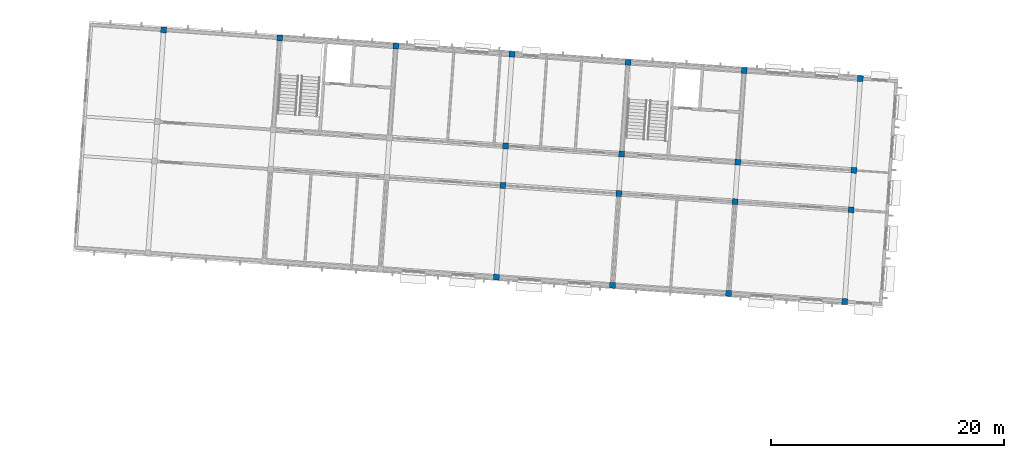
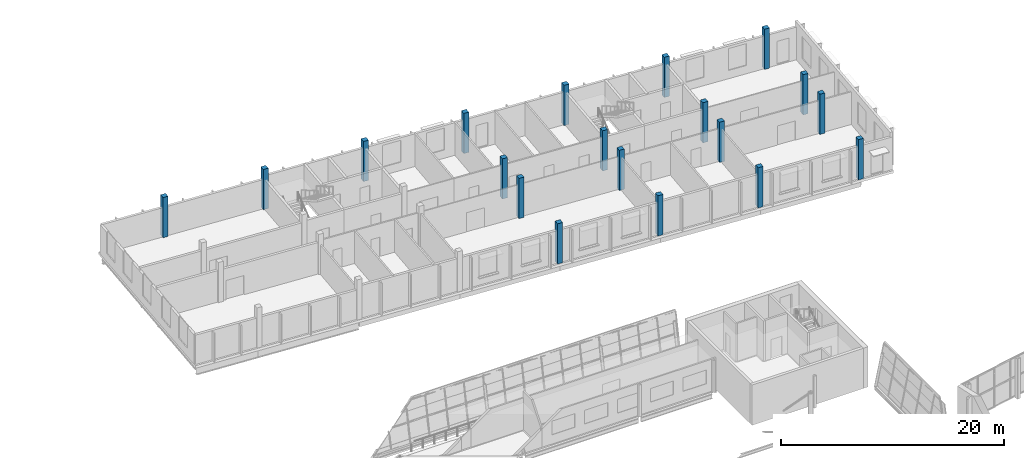
# One storey, part 16 of 95: 19 columns.
"""IFC4 building model written with IfcOpenShell, lengths in metres."""

from ifc_helpers import new_model, si_unit, direction, frame, origin, origin_2d, place, context, subcontext, project, spatial, rectangle, extrude, material, material_profile, profile_set, type_object, element, save


model = new_model("IFC4")

# Units and contexts
model_context = context("Model", 3, precision=1e-05, world=origin(), true_north=direction((0.0, 1.0)))
body_context = subcontext(model_context, "Body", "Model", "MODEL_VIEW")
ifc_project = project(units=[si_unit("LENGTHUNIT", "METRE"), si_unit("AREAUNIT", "SQUARE_METRE"), si_unit("VOLUMEUNIT", "CUBIC_METRE"), si_unit("PLANEANGLEUNIT", "RADIAN"), si_unit("MASSUNIT", "GRAM", prefix="KILO")], contexts=[model_context])

# Site, building, storey
site_placement = place(None, origin())
site = spatial("IfcSite", under=ifc_project, at=site_placement, CompositionType="ELEMENT")
building_placement = place(site_placement, origin())
building = spatial("IfcBuilding", under=site, at=building_placement, Name="Windward Yard Aquatics Centre", CompositionType="ELEMENT")
storey_placement = place(building_placement, frame((0.0, 0.0, 9.39990234375)))
storey = spatial("IfcBuildingStorey", under=building, at=storey_placement, Name="L02", CompositionType="ELEMENT", Elevation=9.39990234375)

# Columns
ifc_material = material(Name="Concrete C50/60", Category="concrete")
ifc_material_profile = material_profile(ifc_material, rectangle(XDim=0.5, YDim=0.5, at=origin_2d()), Name="RC 500x500")
ifc_profile_set = profile_set([ifc_material_profile], Name="Concrete C50/60")
column_type = type_object("IfcColumnType", Name="W RC 500x500 column Concrete C50/60", PredefinedType="COLUMN", material=ifc_profile_set)
for number, where, z_axis, x_axis, name in (
    (1, (109.202392578125, 136.018310546875, 0.0), (0.0, 0.0, 1.0), (0.99756405026, -0.069756473744, 0.0), "W.COL.L02.1D"),
    (2, (119.17822265625, 135.32080078125, 0.0), (0.0, 0.0, 1.0), (0.99756405026, -0.069756473744, 0.0), "W.COL.L02.2D"),
    (3, (129.15380859375, 134.623291015625, 0.0), (0.0, 0.0, 1.0), (0.99756405026, -0.069756473744, 0.0), "W.COL.L02.3D"),
    (4, (137.7900390625, 114.7724609375, 0.0), (0.0, 0.0, 1.0), (0.99756405026, -0.069756473744, 0.0), "W.COL.L02.4A"),
    (5, (138.34130859375, 122.6533203125, 0.0), (0.0, 0.0, 1.0), (0.99756405026, -0.069756473744, 0.0), "W.COL.L02.4B"),
    (6, (138.578369140625, 126.044921875, 0.0), (0.0, 0.0, 1.0), (0.99756405026, -0.069756473744, 0.0), "W.COL.L02.4C"),
    (7, (139.12939453125, 133.925537109375, 0.0), (0.0, 0.0, 1.0), (0.99756405026, -0.069756473744, 0.0), "W.COL.L02.4D"),
    (8, (147.765869140625, 114.07470703125, 0.0), (0.0, 0.0, 1.0), (0.99756405026, -0.069756473744, 0.0), "W.COL.L02.5A"),
    (9, (148.31689453125, 121.95556640625, 0.0), (0.0, 0.0, 1.0), (0.99756405026, -0.069756473744, 0.0), "W.COL.L02.5B"),
    (10, (148.553955078125, 125.347412109375, 0.0), (0.0, 0.0, 1.0), (0.99756405026, -0.069756473744, 0.0), "W.COL.L02.5C"),
    (11, (149.10498046875, 133.22802734375, 0.0), (0.0, 0.0, 1.0), (0.99756405026, -0.069756473744, 0.0), "W.COL.L02.5D"),
    (12, (157.741455078125, 113.377197265625, 0.0), (0.0, 0.0, 1.0), (0.99756405026, -0.069756473744, 0.0), "W.COL.L02.6A"),
    (13, (158.29248046875, 121.258056640625, 0.0), (0.0, 0.0, 1.0), (0.99756405026, -0.069756473744, 0.0), "W.COL.L02.6B"),
    (14, (158.52978515625, 124.649658203125, 0.0), (0.0, 0.0, 1.0), (0.99756405026, -0.069756473744, 0.0), "W.COL.L02.6C"),
    (15, (159.080810546875, 132.530517578125, 0.0), (0.0, 0.0, 1.0), (0.99756405026, -0.069756473744, 0.0), "W.COL.L02.6D"),
    (16, (167.717041015625, 112.6796875, 0.0), (0.0, 0.0, 1.0), (0.99756405026, -0.069756473744, 0.0), "W.COL.L02.7A"),
    (17, (168.26806640625, 120.560546875, 0.0), (0.0, 0.0, 1.0), (0.99756405026, -0.069756473744, 0.0), "W.COL.L02.7B"),
    (18, (168.50537109375, 123.9521484375, 0.0), (0.0, 0.0, 1.0), (0.99756405026, -0.069756473744, 0.0), "W.COL.L02.7C"),
    (19, (169.056396484375, 131.8330078125, 0.0), (0.0, 0.0, 1.0), (0.99756405026, -0.069756473744, 0.0), "W.COL.L02.7D"),
):
    element("IfcColumn", number, at=place(storey_placement, frame(where, z_axis=z_axis, x_axis=x_axis)), inside=storey, type_object=column_type, Name=name, PredefinedType="COLUMN", context=body_context, shape_type="SweptSolid", body=[
        extrude(rectangle(XDim=0.5, YDim=0.5, at=origin_2d()), origin(), (0.0, 0.0, 1.0), 4.400146484375),
    ])

save(model, "model.ifc")
